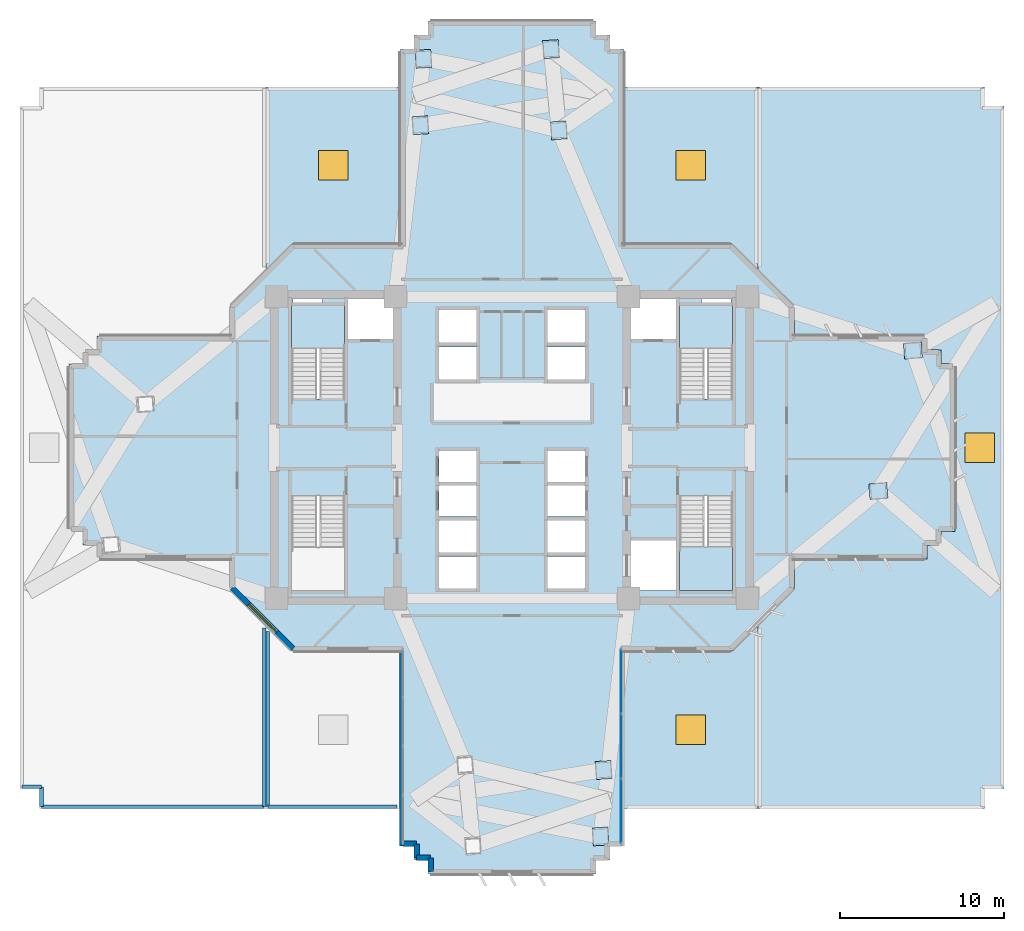
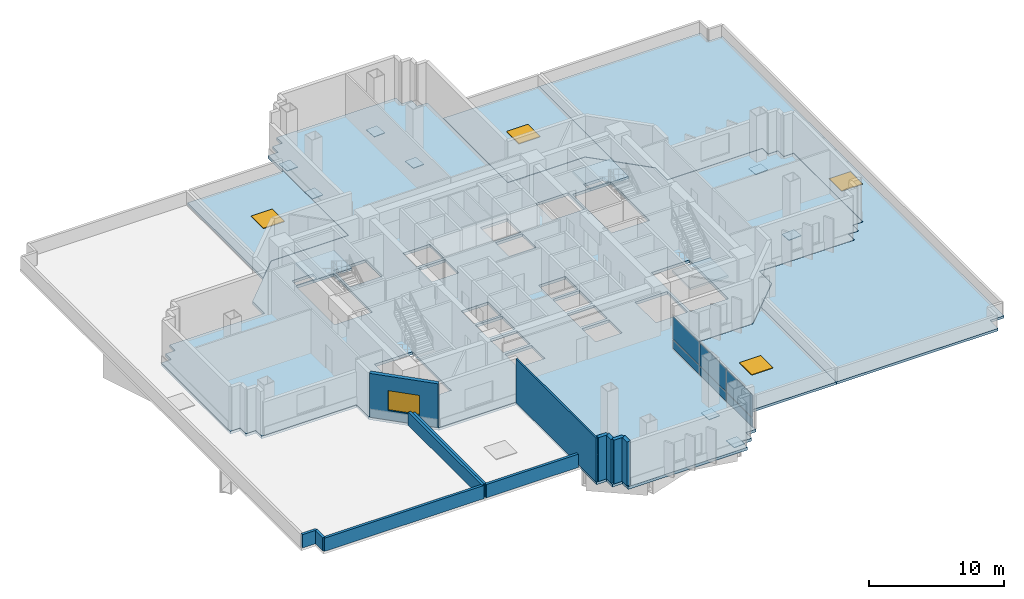
# One storey, part 6 of 15: 14 plates, 12 walls, 8 slabs, 5 windows, 5 openings, 4 elements without a shape of their own.
"""IFC4 building model written with IfcOpenShell, lengths in metres."""

from ifc_helpers import new_model, si_unit, direction, frame, frame_2d, origin, origin_2d, place, context, subcontext, project, spatial, polyline, rectangle, outline, extrude, source, transform, mapped, material, layer, layer_set, type_object, element, fill, aggregate, save


model = new_model("IFC4")

# Units and contexts
model_context = context("Model", 3, precision=1e-05, world=origin(), true_north=direction((0.0, 1.0)))
body_context = subcontext(model_context, "Body", "Model", "MODEL_VIEW")
ifc_project = project(units=[si_unit("LENGTHUNIT", "METRE"), si_unit("AREAUNIT", "SQUARE_METRE"), si_unit("VOLUMEUNIT", "CUBIC_METRE"), si_unit("PLANEANGLEUNIT", "RADIAN"), si_unit("MASSUNIT", "GRAM", prefix="KILO")], contexts=[model_context])

# Site, building, storey
site_placement = place(None, origin())
site = spatial("IfcSite", under=ifc_project, at=site_placement, CompositionType="ELEMENT")
building_placement = place(site_placement, origin())
building = spatial("IfcBuilding", under=site, at=building_placement, Name="Zahravan Cultural Tower", CompositionType="ELEMENT")
storey_placement = place(building_placement, frame((0.0, 0.0, 29.10009765625)))
storey = spatial("IfcBuildingStorey", under=building, at=storey_placement, Name="L05", CompositionType="ELEMENT", Elevation=29.10009765625)

# Slab, opening, window
ifc_material_1 = material(Name="Precast concrete C40/50", Category="concrete")
ifc_layer_1 = layer(ifc_material_1, 0.219970703125)
ifc_layer_set_1 = layer_set([ifc_layer_1], Name="Precast concrete C40/50")
slab_type_1 = type_object("IfcSlabType", Name="SL-ROOF-220", PredefinedType="ROOF", material=ifc_layer_set_1)
slab_1_placement = place(storey_placement, frame((0.0, 0.0, -0.22021484375)))
slab_1 = element("IfcSlab", 1, at=slab_1_placement, inside=storey, type_object=slab_type_1, Name="L05 Setback Roof Slab 2", PredefinedType="ROOF", context=body_context, shape_type="SweptSolid", body=[
    extrude(outline(polyline([(64.800048828125, 5.0), (64.800048828125, 6.199951171875), (66.0, 6.199951171875), (66.0, 47.800048828125), (64.800048828125, 47.800048828125), (64.800048828125, 49.0), (51.0, 49.0), (51.0, 37.828369140625), (53.217529296875, 35.609375), (53.219970703125, 33.820068359375), (61.303955078125, 33.819580078125), (61.320068359375, 33.800048828125), (61.320068359375, 32.969970703125), (62.14990234375, 32.969970703125), (62.16748046875, 32.95947265625), (62.169921875, 32.1201171875), (63.0, 32.1201171875), (63.015380859375, 32.11279296875), (63.02001953125, 21.89990234375), (63.01416015625, 21.885986328125), (63.0, 21.8798828125), (62.169921875, 21.8798828125), (62.169921875, 21.050048828125), (62.159423828125, 21.032470703125), (61.320068359375, 21.030029296875), (61.320068359375, 20.199951171875), (61.303955078125, 20.180419921875), (53.219970703125, 20.179931640625), (53.217529296875, 18.390625), (51.0, 16.171630859375), (51.0, 5.0), (64.800048828125, 5.0)])), origin(), (0.0, 0.0, 1.0), 0.22021484375),
])
opening_1_placement = place(slab_1_placement, frame((64.509033203125, 27.006103515625, 0.0)))
opening_1 = element("IfcOpeningElement", 2, at=opening_1_placement, cuts=slab_1, Name="Opening SK-01", PredefinedType="OPENING", context=body_context, shape_type="SweptSolid", body=[
    extrude(rectangle(XDim=1.800048828125, YDim=1.800048828125, at=origin_2d()), frame((0.0, 0.0, -0.010009765625), z_axis=(0.0, 0.0, 1.0), x_axis=(1.0, 0.0, 0.0)), (0.0, 0.0, 1.0), 0.310302734375),
])
ifc_material_2 = material(Name="Low-E solar-control double glazing", Category="glass")
window_type_1 = type_object("IfcWindowType", Name="SK-MUSEUM-1800", PartitioningType="SINGLE_PANEL", PredefinedType="SKYLIGHT", material=ifc_material_2)
window_1_placement = place(opening_1_placement, frame((0.0, 0.0, 0.22021484375)))
window_1 = element("IfcWindow", 3, at=window_1_placement, inside=storey, type_object=window_type_1, Name="L05 Museum Gallery Skylight", OverallHeight=1.800048828125, OverallWidth=1.800048828125, PartitioningType="SINGLE_PANEL", PredefinedType="SKYLIGHT", context=body_context, shape_type="SweptSolid", body=[
    extrude(rectangle(XDim=1.800048828125, YDim=1.800048828125, at=origin_2d()), origin(), (0.0, 0.0, 1.0), 0.050048828125),
])
fill(opening_1, window_1)

slab_2_placement = place(storey_placement, frame((0.0, 0.0, -0.22021484375)))
slab_2 = element("IfcSlab", 4, at=slab_2_placement, inside=storey, type_object=slab_type_1, Name="L05 Setback Roof Slab 3", PredefinedType="ROOF", context=body_context, shape_type="SweptSolid", body=[
    extrude(outline(polyline([(51.0, 5.0), (51.0, 16.171630859375), (49.40380859375, 14.580322265625), (42.820068359375, 14.580078125), (42.820068359375, 5.0), (51.0, 5.0)])), origin(), (0.0, 0.0, 1.0), 0.22021484375),
])
opening_2_placement = place(slab_2_placement, frame((46.909912109375, 9.7900390625, 0.0)))
opening_2 = element("IfcOpeningElement", 5, at=opening_2_placement, cuts=slab_2, Name="Opening SK-01", PredefinedType="OPENING", context=body_context, shape_type="SweptSolid", body=[
    extrude(rectangle(XDim=1.800048828125, YDim=1.800048828125, at=origin_2d()), frame((0.0, 0.0, -0.010009765625), z_axis=(0.0, 0.0, 1.0), x_axis=(1.0, 0.0, 0.0)), (0.0, 0.0, 1.0), 0.310302734375),
])
window_2_placement = place(opening_2_placement, frame((0.0, 0.0, 0.22021484375)))
window_2 = element("IfcWindow", 6, at=window_2_placement, inside=storey, type_object=window_type_1, Name="L05 Museum Gallery Skylight", OverallHeight=1.800048828125, OverallWidth=1.800048828125, PartitioningType="SINGLE_PANEL", PredefinedType="SKYLIGHT", context=body_context, shape_type="SweptSolid", body=[
    extrude(rectangle(XDim=1.800048828125, YDim=1.800048828125, at=origin_2d()), origin(), (0.0, 0.0, 1.0), 0.050048828125),
])
fill(opening_2, window_2)

slab_3_placement = place(storey_placement, frame((0.0, 0.0, -0.22021484375)))
slab_3 = element("IfcSlab", 7, at=slab_3_placement, inside=storey, type_object=slab_type_1, Name="L05 Setback Roof Slab 4", PredefinedType="ROOF", context=body_context, shape_type="SweptSolid", body=[
    extrude(outline(polyline([(51.0, 37.828369140625), (51.0, 49.0), (42.820068359375, 49.0), (42.820068359375, 39.419921875), (49.39990234375, 39.419921875), (49.4140625, 39.4140625), (51.0, 37.828369140625)])), origin(), (0.0, 0.0, 1.0), 0.22021484375),
])
opening_3_placement = place(slab_3_placement, frame((46.909912109375, 44.2099609375, 0.0)))
opening_3 = element("IfcOpeningElement", 8, at=opening_3_placement, cuts=slab_3, Name="Opening SK-01", PredefinedType="OPENING", context=body_context, shape_type="SweptSolid", body=[
    extrude(rectangle(XDim=1.800048828125, YDim=1.800048828125, at=origin_2d()), frame((0.0, 0.0, -0.010009765625), z_axis=(0.0, 0.0, 1.0), x_axis=(1.0, 0.0, 0.0)), (0.0, 0.0, 1.0), 0.310302734375),
])
window_3_placement = place(opening_3_placement, frame((0.0, 0.0, 0.22021484375)))
window_3 = element("IfcWindow", 9, at=window_3_placement, inside=storey, type_object=window_type_1, Name="L05 Museum Gallery Skylight", OverallHeight=1.800048828125, OverallWidth=1.800048828125, PartitioningType="SINGLE_PANEL", PredefinedType="SKYLIGHT", context=body_context, shape_type="SweptSolid", body=[
    extrude(rectangle(XDim=1.800048828125, YDim=1.800048828125, at=origin_2d()), origin(), (0.0, 0.0, 1.0), 0.050048828125),
])
fill(opening_3, window_3)

slab_4_placement = place(storey_placement, frame((0.0, 0.0, -0.22021484375)))
slab_4 = element("IfcSlab", 10, at=slab_4_placement, inside=storey, type_object=slab_type_1, Name="L05 Setback Roof Slab 6", PredefinedType="ROOF", context=body_context, shape_type="SweptSolid", body=[
    extrude(outline(polyline([(21.0, 49.0), (21.0, 37.828369140625), (22.59619140625, 39.419677734375), (29.179931640625, 39.419921875), (29.179931640625, 49.0), (21.0, 49.0)])), origin(), (0.0, 0.0, 1.0), 0.22021484375),
])
opening_4_placement = place(slab_4_placement, frame((25.090087890625, 44.2099609375, 0.0)))
opening_4 = element("IfcOpeningElement", 11, at=opening_4_placement, cuts=slab_4, Name="Opening SK-01", PredefinedType="OPENING", context=body_context, shape_type="SweptSolid", body=[
    extrude(rectangle(XDim=1.800048828125, YDim=1.800048828125, at=origin_2d()), frame((0.0, 0.0, -0.010009765625), z_axis=(0.0, 0.0, 1.0), x_axis=(1.0, 0.0, 0.0)), (0.0, 0.0, 1.0), 0.310302734375),
])
window_4_placement = place(opening_4_placement, frame((0.0, 0.0, 0.22021484375)))
window_4 = element("IfcWindow", 12, at=window_4_placement, inside=storey, type_object=window_type_1, Name="L05 Museum Gallery Skylight", OverallHeight=1.800048828125, OverallWidth=1.800048828125, PartitioningType="SINGLE_PANEL", PredefinedType="SKYLIGHT", context=body_context, shape_type="SweptSolid", body=[
    extrude(rectangle(XDim=1.800048828125, YDim=1.800048828125, at=origin_2d()), origin(), (0.0, 0.0, 1.0), 0.050048828125),
])
fill(opening_4, window_4)

# Stair, slab
ifc_material_3 = material(Name="Concrete C45/55", Category="concrete")
stair_type = type_object("IfcStairType", Name="STR-DL-1550-420", PredefinedType="HALF_TURN_STAIR", material=ifc_material_3)
stair_1_placement = place(storey_placement, origin())
stair_1 = element("IfcStair", 13, at=stair_1_placement, inside=storey, type_object=stair_type, Name="L05 West Core North Exit Stair ST-W1", PredefinedType="HALF_TURN_STAIR")
ifc_layer_2 = layer(ifc_material_3, 0.199951171875)
ifc_layer_set_2 = layer_set([ifc_layer_2], Name="Concrete C45/55")
slab_type_2 = type_object("IfcSlabType", Name="SL-STAIR-LND200", PredefinedType="LANDING", material=ifc_layer_set_2)
slab_5_placement = place(storey_placement, frame((0.0, 0.0, 1.89990234375)))
slab_5 = element("IfcSlab", 14, at=slab_5_placement, type_object=slab_type_2, Name="ST-W1 landing 1", PredefinedType="LANDING", context=body_context, shape_type="SweptSolid", body=[
    extrude(outline(polyline([(25.800048828125, 33.030029296875), (25.800048828125, 35.699951171875), (22.550048828125, 35.699951171875), (22.550048828125, 33.030029296875), (25.800048828125, 33.030029296875)])), origin(), (0.0, 0.0, 1.0), 0.199951171875),
])
aggregate(stair_1, [slab_5])

stair_2_placement = place(storey_placement, origin())
stair_2 = element("IfcStair", 15, at=stair_2_placement, inside=storey, type_object=stair_type, Name="L05 East Core North Exit Stair ST-E1", PredefinedType="HALF_TURN_STAIR")
slab_6_placement = place(storey_placement, frame((0.0, 0.0, 1.89990234375)))
slab_6 = element("IfcSlab", 16, at=slab_6_placement, type_object=slab_type_2, Name="ST-E1 landing 1", PredefinedType="LANDING", context=body_context, shape_type="SweptSolid", body=[
    extrude(outline(polyline([(49.449951171875, 33.030029296875), (49.449951171875, 35.699951171875), (46.199951171875, 35.699951171875), (46.199951171875, 33.030029296875), (49.449951171875, 33.030029296875)])), origin(), (0.0, 0.0, 1.0), 0.199951171875),
])
aggregate(stair_2, [slab_6])

stair_3_placement = place(storey_placement, origin())
stair_3 = element("IfcStair", 17, at=stair_3_placement, inside=storey, type_object=stair_type, Name="L05 East Core South Exit Stair ST-E2", PredefinedType="HALF_TURN_STAIR")
slab_7_placement = place(storey_placement, frame((0.0, 0.0, 1.89990234375)))
slab_7 = element("IfcSlab", 18, at=slab_7_placement, type_object=slab_type_2, Name="ST-E2 landing 1", PredefinedType="LANDING", context=body_context, shape_type="SweptSolid", body=[
    extrude(outline(polyline([(46.199951171875, 20.969970703125), (46.199951171875, 18.300048828125), (49.449951171875, 18.300048828125), (49.449951171875, 20.969970703125), (46.199951171875, 20.969970703125)])), origin(), (0.0, 0.0, 1.0), 0.199951171875),
])
aggregate(stair_3, [slab_7])

# Slab
ifc_material_4 = material(Name="Concrete C40/50", Category="concrete")
ifc_layer_3 = layer(ifc_material_4, 0.25)
ifc_layer_set_3 = layer_set([ifc_layer_3], Name="Concrete C40/50")
slab_type_3 = type_object("IfcSlabType", Name="SL-TYP-250", PredefinedType="FLOOR", material=ifc_layer_set_3)
slab_8_placement = place(storey_placement, frame((0.0, 0.0, -0.25)))
element("IfcSlab", 19, at=slab_8_placement, inside=storey, type_object=slab_type_3, Name="L05 Structural Floor Slab", PredefinedType="FLOOR", context=body_context, shape_type="SweptSolid", body=[
    extrude(outline(polyline([(53.199951171875, 33.800048828125), (53.199951171875, 35.60009765625), (49.39990234375, 39.39990234375), (42.800048828125, 39.39990234375), (42.800048828125, 51.300048828125), (41.949951171875, 51.300048828125), (41.949951171875, 52.14990234375), (41.10009765625, 52.14990234375), (41.10009765625, 53.0), (30.89990234375, 53.0), (30.89990234375, 52.14990234375), (30.050048828125, 52.14990234375), (30.050048828125, 51.300048828125), (29.199951171875, 51.300048828125), (29.199951171875, 39.39990234375), (22.60009765625, 39.39990234375), (18.800048828125, 35.60009765625), (18.800048828125, 33.800048828125), (10.699951171875, 33.800048828125), (10.699951171875, 32.949951171875), (9.85009765625, 32.949951171875), (9.85009765625, 32.10009765625), (9.0, 32.10009765625), (9.0, 21.89990234375), (9.85009765625, 21.89990234375), (9.85009765625, 21.050048828125), (10.699951171875, 21.050048828125), (10.699951171875, 20.199951171875), (18.800048828125, 20.199951171875), (18.800048828125, 18.39990234375), (22.60009765625, 14.60009765625), (29.199951171875, 14.60009765625), (29.199951171875, 2.699951171875), (30.050048828125, 2.699951171875), (30.050048828125, 1.85009765625), (30.89990234375, 1.85009765625), (30.89990234375, 1.0), (41.10009765625, 1.0), (41.10009765625, 1.85009765625), (41.949951171875, 1.85009765625), (41.949951171875, 2.699951171875), (42.800048828125, 2.699951171875), (42.800048828125, 14.60009765625), (49.39990234375, 14.60009765625), (53.199951171875, 18.39990234375), (53.199951171875, 20.199951171875), (61.300048828125, 20.199951171875), (61.300048828125, 21.050048828125), (62.14990234375, 21.050048828125), (62.14990234375, 21.89990234375), (63.0, 21.89990234375), (63.0, 32.10009765625), (62.14990234375, 32.10009765625), (62.14990234375, 32.949951171875), (61.300048828125, 32.949951171875), (61.300048828125, 33.800048828125), (53.199951171875, 33.800048828125)]), holes=[polyline([(22.550048828125, 29.949951171875), (22.550048828125, 35.699951171875), (25.800048828125, 35.699951171875), (25.800048828125, 29.949951171875), (22.550048828125, 29.949951171875)]), polyline([(22.550048828125, 18.300048828125), (22.550048828125, 24.050048828125), (25.800048828125, 24.050048828125), (25.800048828125, 18.300048828125), (22.550048828125, 18.300048828125)]), polyline([(46.199951171875, 29.949951171875), (46.199951171875, 35.699951171875), (49.449951171875, 35.699951171875), (49.449951171875, 29.949951171875), (46.199951171875, 29.949951171875)]), polyline([(46.199951171875, 18.300048828125), (46.199951171875, 24.050048828125), (49.449951171875, 24.050048828125), (49.449951171875, 18.300048828125), (46.199951171875, 18.300048828125)]), polyline([(26.0, 33.60009765625), (26.0, 36.050048828125), (28.75, 36.050048828125), (28.75, 33.60009765625), (26.0, 33.60009765625)]), polyline([(43.25, 33.60009765625), (43.25, 36.050048828125), (46.0, 36.050048828125), (46.0, 33.60009765625), (43.25, 33.60009765625)]), polyline([(43.25, 18.300048828125), (43.25, 21.35009765625), (46.0, 21.35009765625), (46.0, 18.300048828125), (43.25, 18.300048828125)]), polyline([(31.550048828125, 33.39990234375), (31.550048828125, 35.39990234375), (33.85009765625, 35.39990234375), (33.85009765625, 33.39990234375), (31.550048828125, 33.39990234375)]), polyline([(31.550048828125, 31.14990234375), (31.550048828125, 33.14990234375), (33.85009765625, 33.14990234375), (33.85009765625, 31.14990234375), (31.550048828125, 31.14990234375)]), polyline([(38.14990234375, 33.39990234375), (38.14990234375, 35.39990234375), (40.449951171875, 35.39990234375), (40.449951171875, 33.39990234375), (38.14990234375, 33.39990234375)]), polyline([(38.14990234375, 31.14990234375), (38.14990234375, 33.14990234375), (40.449951171875, 33.14990234375), (40.449951171875, 31.14990234375), (38.14990234375, 31.14990234375)]), polyline([(31.550048828125, 20.60009765625), (31.550048828125, 22.550048828125), (33.85009765625, 22.550048828125), (33.85009765625, 20.60009765625), (31.550048828125, 20.60009765625)]), polyline([(31.550048828125, 18.39990234375), (31.550048828125, 20.35009765625), (33.85009765625, 20.35009765625), (33.85009765625, 18.39990234375), (31.550048828125, 18.39990234375)]), polyline([(38.14990234375, 20.60009765625), (38.14990234375, 22.550048828125), (40.449951171875, 22.550048828125), (40.449951171875, 20.60009765625), (38.14990234375, 20.60009765625)]), polyline([(38.14990234375, 18.39990234375), (38.14990234375, 20.35009765625), (40.449951171875, 20.35009765625), (40.449951171875, 18.39990234375), (38.14990234375, 18.39990234375)]), polyline([(31.550048828125, 24.89990234375), (31.550048828125, 26.800048828125), (33.85009765625, 26.800048828125), (33.85009765625, 24.89990234375), (31.550048828125, 24.89990234375)]), polyline([(31.550048828125, 22.800048828125), (31.550048828125, 24.699951171875), (33.85009765625, 24.699951171875), (33.85009765625, 22.800048828125), (31.550048828125, 22.800048828125)]), polyline([(38.14990234375, 24.89990234375), (38.14990234375, 26.800048828125), (40.449951171875, 26.800048828125), (40.449951171875, 24.89990234375), (38.14990234375, 24.89990234375)]), polyline([(38.14990234375, 22.800048828125), (38.14990234375, 24.699951171875), (40.449951171875, 24.699951171875), (40.449951171875, 22.800048828125), (38.14990234375, 22.800048828125)]), polyline([(22.64990234375, 35.800048828125), (22.64990234375, 36.419921875), (24.449951171875, 36.419921875), (24.449951171875, 35.800048828125), (22.64990234375, 35.800048828125)]), polyline([(47.550048828125, 35.800048828125), (47.550048828125, 36.419921875), (49.35009765625, 36.419921875), (49.35009765625, 35.800048828125), (47.550048828125, 35.800048828125)])]), origin(), (0.0, 0.0, 1.0), 0.25),
])

# Plates
ifc_material_5 = material(Name="Steel ASTM A572 Grade 50", Category="steel")
ifc_layer_4 = layer(ifc_material_5, 0.06005859375)
ifc_layer_set_4 = layer_set([ifc_layer_4], Name="Steel ASTM A572 Grade 50")
plate_type_1 = type_object("IfcPlateType", Name="PL-NODE-60", PredefinedType="SHEET", material=ifc_layer_set_4)
shared_shape_1 = source(origin(), body_context, "Body", "SweptSolid", [
    extrude(rectangle(XDim=1.10009765625, YDim=0.949951171875, at=origin_2d()), origin(), (0.0, 0.0, 1.0), 0.06005859375),
])
for number, where, z_axis, x_axis, name in (
    (20, (41.3994140625, 3.292236328125, -1.080078125), (0.0, 0.0, 1.0), (-0.062790519529, 0.998026728428, 0.0), "L05 Transfer Node Plate TN1"),
    (21, (41.5849609375, 7.341796875, -1.080078125), (0.0, 0.0, 1.0), (-0.069756473744, 0.99756405026, 0.0), "L05 Transfer Node Plate TN1"),
    (22, (58.339111328125, 24.351806640625, -1.080078125), (0.0, 0.0, 1.0), (0.99756405026, 0.069756473744, 0.0), "L05 Transfer Node Plate TN1"),
    (23, (60.446533203125, 32.919677734375, -1.080078125), (0.0, 0.0, 1.0), (0.99756405026, 0.069756473744, 0.0), "L05 Transfer Node Plate TN1"),
    (24, (38.857421875, 46.346435546875, -1.080078125), (0.0, 0.0, 1.0), (-0.069756473744, 0.99756405026, 0.0), "L05 Transfer Node Plate TN1"),
    (25, (38.379150390625, 51.29736328125, -1.080078125), (0.0, 0.0, 1.0), (-0.062790519529, 0.998026728428, 0.0), "L05 Transfer Node Plate TN1"),
    (26, (30.6005859375, 50.707763671875, -1.080078125), (0.0, 0.0, 1.0), (-0.062790519529, 0.998026728428, 0.0), "L05 Transfer Node Plate TN1"),
    (27, (30.4150390625, 46.658203125, -1.080078125), (0.0, 0.0, 1.0), (-0.069756473744, 0.99756405026, 0.0), "L05 Transfer Node Plate TN1"),
):
    element("IfcPlate", number, at=place(storey_placement, frame(where, z_axis=z_axis, x_axis=x_axis)), inside=storey, type_object=plate_type_1, Name=name, PredefinedType="SHEET", context=body_context, shape_type="MappedRepresentation", body=[
        mapped(shared_shape_1, transform((0.0, 0.0, 0.0), x_axis=(1.0, 0.0, 0.0), y_axis=(0.0, 1.0, 0.0), z_axis=(0.0, 0.0, 1.0), scale=1.0)),
    ])

# Curtain wall, plates
ifc_material_6 = material(Name="Anodised bronze-aluminium mullion", Category="aluminium")
ifc_layer_5 = layer(ifc_material_6, 0.199951171875)
ifc_layer_set_5 = layer_set([ifc_layer_5], Name="Anodised bronze-aluminium mullion")
curtain_wall_type = type_object("IfcCurtainWallType", Name="CW-SYS-2", PredefinedType="USERDEFINED", material=ifc_layer_set_5)
curtain_wall_placement = place(storey_placement, origin())
curtain_wall = element("IfcCurtainWall", 28, at=curtain_wall_placement, inside=storey, type_object=curtain_wall_type, Name="L05 Recessed Curtain Wall CW-2.1", ObjectType="RECESSED GLAZING", PredefinedType="USERDEFINED")
ifc_layer_6 = layer(ifc_material_2, 0.030029296875)
ifc_layer_set_6 = layer_set([ifc_layer_6], Name="Low-E solar-control double glazing")
plate_type_2 = type_object("IfcPlateType", Name="CWP-CW-2", PredefinedType="CURTAIN_PANEL", material=ifc_layer_set_6)
shared_shape_2 = source(origin(), body_context, "Body", "SweptSolid", [
    extrude(rectangle(XDim=3.854248046875, YDim=0.030029296875, at=origin_2d()), origin(), (0.0, 0.0, 1.0), 0.78759765625),
])
plate_1_placement = place(storey_placement, frame((42.659912109375, 12.738037109375, 0.074951171875), z_axis=(0.0, 0.0, 1.0), x_axis=(0.0, -1.0, 0.0)))
plate_1 = element("IfcPlate", 29, at=plate_1_placement, type_object=plate_type_2, Name="CW-2 panel 1.1", PredefinedType="CURTAIN_PANEL", context=body_context, shape_type="MappedRepresentation", body=[
    mapped(shared_shape_2, transform((0.0, 0.0, 0.0), x_axis=(1.0, 0.0, 0.0), y_axis=(0.0, 1.0, 0.0), z_axis=(0.0, 0.0, 1.0), scale=1.0)),
])
plate_2_placement = place(storey_placement, frame((42.659912109375, 4.842041015625, 0.074951171875), z_axis=(0.0, 0.0, 1.0), x_axis=(0.0, -1.0, 0.0)))
plate_2 = element("IfcPlate", 30, at=plate_2_placement, type_object=plate_type_2, Name="CW-2 panel 3.1", PredefinedType="CURTAIN_PANEL", context=body_context, shape_type="MappedRepresentation", body=[
    mapped(shared_shape_2, transform((0.0, 0.0, 0.0), x_axis=(1.0, 0.0, 0.0), y_axis=(0.0, 1.0, 0.0), z_axis=(0.0, 0.0, 1.0), scale=1.0)),
])
shared_shape_3 = source(origin(), body_context, "Body", "SweptSolid", [
    extrude(rectangle(XDim=3.854248046875, YDim=0.030029296875, at=origin_2d()), origin(), (0.0, 0.0, 1.0), 2.0576171875),
])
plate_3_placement = place(storey_placement, frame((42.659912109375, 12.738037109375, 0.937255859375), z_axis=(0.0, 0.0, 1.0), x_axis=(0.0, -1.0, 0.0)))
plate_3 = element("IfcPlate", 31, at=plate_3_placement, type_object=plate_type_2, Name="CW-2 panel 1.2", PredefinedType="CURTAIN_PANEL", context=body_context, shape_type="MappedRepresentation", body=[
    mapped(shared_shape_3, transform((0.0, 0.0, 0.0), x_axis=(1.0, 0.0, 0.0), y_axis=(0.0, 1.0, 0.0), z_axis=(0.0, 0.0, 1.0), scale=1.0)),
])
plate_4_placement = place(storey_placement, frame((42.659912109375, 4.842041015625, 0.937255859375), z_axis=(0.0, 0.0, 1.0), x_axis=(0.0, -1.0, 0.0)))
plate_4 = element("IfcPlate", 32, at=plate_4_placement, type_object=plate_type_2, Name="CW-2 panel 3.2", PredefinedType="CURTAIN_PANEL", context=body_context, shape_type="MappedRepresentation", body=[
    mapped(shared_shape_3, transform((0.0, 0.0, 0.0), x_axis=(1.0, 0.0, 0.0), y_axis=(0.0, 1.0, 0.0), z_axis=(0.0, 0.0, 1.0), scale=1.0)),
])
shared_shape_4 = source(origin(), body_context, "Body", "SweptSolid", [
    extrude(rectangle(XDim=3.8916015625, YDim=0.030029296875, at=origin_2d()), origin(), (0.0, 0.0, 1.0), 0.78759765625),
])
plate_5_placement = place(storey_placement, frame((42.659912109375, 8.7900390625, 0.074951171875), z_axis=(0.0, 0.0, 1.0), x_axis=(0.0, -1.0, 0.0)))
plate_5 = element("IfcPlate", 33, at=plate_5_placement, type_object=plate_type_2, Name="CW-2 panel 2.1", PredefinedType="CURTAIN_PANEL", context=body_context, shape_type="MappedRepresentation", body=[
    mapped(shared_shape_4, transform((0.0, 0.0, 0.0), x_axis=(1.0, 0.0, 0.0), y_axis=(0.0, 1.0, 0.0), z_axis=(0.0, 0.0, 1.0), scale=1.0)),
])
shared_shape_5 = source(origin(), body_context, "Body", "SweptSolid", [
    extrude(rectangle(XDim=3.8916015625, YDim=0.030029296875, at=origin_2d()), origin(), (0.0, 0.0, 1.0), 2.0576171875),
])
plate_6_placement = place(storey_placement, frame((42.659912109375, 8.7900390625, 0.937255859375), z_axis=(0.0, 0.0, 1.0), x_axis=(0.0, -1.0, 0.0)))
plate_6 = element("IfcPlate", 34, at=plate_6_placement, type_object=plate_type_2, Name="CW-2 panel 2.2", PredefinedType="CURTAIN_PANEL", context=body_context, shape_type="MappedRepresentation", body=[
    mapped(shared_shape_5, transform((0.0, 0.0, 0.0), x_axis=(1.0, 0.0, 0.0), y_axis=(0.0, 1.0, 0.0), z_axis=(0.0, 0.0, 1.0), scale=1.0)),
])
aggregate(curtain_wall, [plate_1, plate_3, plate_5, plate_6, plate_2, plate_4])

# Wall, opening, window
ifc_layer_7 = layer(ifc_material_1, 0.320068359375)
ifc_layer_set_7 = layer_set([ifc_layer_7], Name="Precast concrete C40/50")
wall_type_1 = type_object("IfcWallType", Name="EW-TC-320", PredefinedType="SOLIDWALL", material=ifc_layer_set_7)
wall_1_placement = place(storey_placement, frame((22.657958984375, 14.739990234375, 0.0), z_axis=(0.0, 0.0, 1.0), x_axis=(-0.707106781187, 0.707106781187, 0.0)))
wall_1 = element("IfcWall", 35, at=wall_1_placement, inside=storey, type_object=wall_type_1, Name="L05 Exterior Masonry Frame Wall 25", PredefinedType="SOLIDWALL", context=body_context, shape_type="SweptSolid", body=[
    extrude(rectangle(XDim=5.258056640625, YDim=0.320068359375, at=frame_2d((2.62890625, 0.0))), origin(), (0.0, 0.0, 1.0), 3.949951171875),
])
opening_5_placement = place(wall_1_placement, frame((1.428955078125, 0.0, 0.85009765625)))
opening_5 = element("IfcOpeningElement", 36, at=opening_5_placement, cuts=wall_1, Name="Opening WN-01", PredefinedType="OPENING", context=body_context, shape_type="SweptSolid", body=[
    extrude(rectangle(XDim=2.39990234375, YDim=1.800048828125, at=frame_2d((1.199951171875, 0.89990234375))), frame((0.0, 0.169921875, 0.0), z_axis=(0.0, -1.0, 0.0), x_axis=(1.0, 0.0, 0.0)), (0.0, 0.0, 1.0), 0.340087890625),
])
window_type_2 = type_object("IfcWindowType", Name="WN-REC-2400X1800", PartitioningType="DOUBLE_PANEL_VERTICAL", PredefinedType="WINDOW", material=ifc_material_2)
shared_shape_6 = source(origin(), body_context, "Body", "SweptSolid", [
    extrude(rectangle(XDim=2.39990234375, YDim=1.800048828125, at=frame_2d((1.199951171875, 0.89990234375))), frame((0.0, 0.030029296875, 0.0), z_axis=(0.0, -1.0, 0.0), x_axis=(1.0, 0.0, 0.0)), (0.0, 0.0, 1.0), 0.06005859375),
])
window_5_placement = place(opening_5_placement, origin())
window_5 = element("IfcWindow", 37, at=window_5_placement, inside=storey, type_object=window_type_2, Name="L05 Recessed Solar Window 07", OverallHeight=1.800048828125, OverallWidth=2.39990234375, PartitioningType="DOUBLE_PANEL_VERTICAL", PredefinedType="WINDOW", context=body_context, shape_type="MappedRepresentation", body=[
    mapped(shared_shape_6, transform((0.0, 0.0, 0.0), x_axis=(1.0, 0.0, 0.0), y_axis=(0.0, 1.0, 0.0), z_axis=(0.0, 0.0, 1.0), scale=1.0)),
])
fill(opening_5, window_5)

# Walls
ifc_layer_8 = layer(ifc_material_1, 0.219970703125)
ifc_layer_set_8 = layer_set([ifc_layer_8], Name="Precast concrete C40/50")
wall_type_2 = type_object("IfcWallType", Name="EW-PARAPET-220", PredefinedType="PARAPET", material=ifc_layer_set_8)
shared_shape_7 = source(origin(), body_context, "Body", "SweptSolid", [
    extrude(rectangle(XDim=1.199951171875, YDim=0.219970703125, at=frame_2d((0.60009765625, 0.0))), origin(), (0.0, 0.0, 1.0), 1.199951171875),
])
for number, where, z_axis, x_axis, name in (
    (38, (7.31005859375, 6.31005859375, 0.0), (0.0, 0.0, 1.0), (-1.0, 0.0, 0.0), "L05 Setback Roof Parapet 1"),
    (39, (7.31005859375, 5.110107421875, 0.0), (0.0, 0.0, 1.0), (0.0, 1.0, 0.0), "L05 Setback Roof Parapet 9"),
):
    element("IfcWall", number, at=place(storey_placement, frame(where, z_axis=z_axis, x_axis=x_axis)), inside=storey, type_object=wall_type_2, Name=name, PredefinedType="PARAPET", context=body_context, shape_type="MappedRepresentation", body=[
        mapped(shared_shape_7, transform((0.0, 0.0, 0.0), x_axis=(1.0, 0.0, 0.0), y_axis=(0.0, 1.0, 0.0), z_axis=(0.0, 0.0, 1.0), scale=1.0)),
    ])
shared_shape_8 = source(origin(), body_context, "Body", "SweptSolid", [
    extrude(rectangle(XDim=13.579833984375, YDim=0.219970703125, at=frame_2d((6.7900390625, 0.0))), origin(), (0.0, 0.0, 1.0), 1.199951171875),
])
wall_2_placement = place(storey_placement, frame((20.889892578125, 5.110107421875, 0.0), z_axis=(0.0, 0.0, 1.0), x_axis=(-1.0, 0.0, 0.0)))
element("IfcWall", 40, at=wall_2_placement, inside=storey, type_object=wall_type_2, Name="L05 Setback Roof Parapet 8", PredefinedType="PARAPET", context=body_context, shape_type="MappedRepresentation", body=[
    mapped(shared_shape_8, transform((0.0, 0.0, 0.0), x_axis=(1.0, 0.0, 0.0), y_axis=(0.0, 1.0, 0.0), z_axis=(0.0, 0.0, 1.0), scale=1.0)),
])
shared_shape_9 = source(origin(), body_context, "Body", "SweptSolid", [
    extrude(rectangle(XDim=10.888671875, YDim=0.219970703125, at=frame_2d((5.4443359375, 0.0))), origin(), (0.0, 0.0, 1.0), 1.199951171875),
])
wall_3_placement = place(storey_placement, frame((20.889892578125, 15.998779296875, 0.0), z_axis=(0.0, 0.0, 1.0), x_axis=(0.0, -1.0, 0.0)))
element("IfcWall", 41, at=wall_3_placement, inside=storey, type_object=wall_type_2, Name="L05 Setback Roof Parapet 7", PredefinedType="PARAPET", context=body_context, shape_type="MappedRepresentation", body=[
    mapped(shared_shape_9, transform((0.0, 0.0, 0.0), x_axis=(1.0, 0.0, 0.0), y_axis=(0.0, 1.0, 0.0), z_axis=(0.0, 0.0, 1.0), scale=1.0)),
])
shared_shape_10 = source(origin(), body_context, "Body", "SweptSolid", [
    extrude(rectangle(XDim=7.869873046875, YDim=0.219970703125, at=frame_2d((3.93505859375, 0.0))), origin(), (0.0, 0.0, 1.0), 1.199951171875),
])
wall_4_placement = place(storey_placement, frame((28.97998046875, 5.110107421875, 0.0), z_axis=(0.0, 0.0, 1.0), x_axis=(-1.0, 0.0, 0.0)))
element("IfcWall", 42, at=wall_4_placement, inside=storey, type_object=wall_type_2, Name="L05 Setback Roof Parapet 1", PredefinedType="PARAPET", context=body_context, shape_type="MappedRepresentation", body=[
    mapped(shared_shape_10, transform((0.0, 0.0, 0.0), x_axis=(1.0, 0.0, 0.0), y_axis=(0.0, 1.0, 0.0), z_axis=(0.0, 0.0, 1.0), scale=1.0)),
])
shared_shape_11 = source(origin(), body_context, "Body", "SweptSolid", [
    extrude(rectangle(XDim=10.668701171875, YDim=0.219970703125, at=frame_2d((5.33447265625, 0.0))), origin(), (0.0, 0.0, 1.0), 1.199951171875),
])
wall_5_placement = place(storey_placement, frame((21.110107421875, 5.110107421875, 0.0), z_axis=(0.0, 0.0, 1.0), x_axis=(0.0, 1.0, 0.0)))
element("IfcWall", 43, at=wall_5_placement, inside=storey, type_object=wall_type_2, Name="L05 Setback Roof Parapet 2", PredefinedType="PARAPET", context=body_context, shape_type="MappedRepresentation", body=[
    mapped(shared_shape_11, transform((0.0, 0.0, 0.0), x_axis=(1.0, 0.0, 0.0), y_axis=(0.0, 1.0, 0.0), z_axis=(0.0, 0.0, 1.0), scale=1.0)),
])
shared_shape_12 = source(origin(), body_context, "Body", "SweptSolid", [
    extrude(rectangle(XDim=0.849853515625, YDim=0.320068359375, at=frame_2d((0.4248046875, 0.0))), origin(), (0.0, 0.0, 1.0), 3.949951171875),
])
wall_6_placement = place(storey_placement, frame((30.18994140625, 2.840087890625, 0.0), z_axis=(0.0, 0.0, 1.0), x_axis=(-1.0, 0.0, 0.0)))
element("IfcWall", 44, at=wall_6_placement, inside=storey, type_object=wall_type_1, Name="L05 Exterior Masonry Frame Wall 23", PredefinedType="SOLIDWALL", context=body_context, shape_type="MappedRepresentation", body=[
    mapped(shared_shape_12, transform((0.0, 0.0, 0.0), x_axis=(1.0, 0.0, 0.0), y_axis=(0.0, 1.0, 0.0), z_axis=(0.0, 0.0, 1.0), scale=1.0)),
])
shared_shape_13 = source(origin(), body_context, "Body", "SweptSolid", [
    extrude(rectangle(XDim=0.85009765625, YDim=0.320068359375, at=frame_2d((0.425048828125, 0.0))), origin(), (0.0, 0.0, 1.0), 3.949951171875),
])
for number, where, z_axis, x_axis, name in (
    (45, (31.0400390625, 1.139892578125, 0.0), (0.0, 0.0, 1.0), (0.0, 1.0, 0.0), "L05 Exterior Masonry Frame Wall 20"),
    (46, (31.0400390625, 1.989990234375, 0.0), (0.0, 0.0, 1.0), (-1.0, 0.0, 0.0), "L05 Exterior Masonry Frame Wall 21"),
    (47, (30.18994140625, 1.989990234375, 0.0), (0.0, 0.0, 1.0), (0.0, 1.0, 0.0), "L05 Exterior Masonry Frame Wall 22"),
):
    element("IfcWall", number, at=place(storey_placement, frame(where, z_axis=z_axis, x_axis=x_axis)), inside=storey, type_object=wall_type_1, Name=name, PredefinedType="SOLIDWALL", context=body_context, shape_type="MappedRepresentation", body=[
        mapped(shared_shape_13, transform((0.0, 0.0, 0.0), x_axis=(1.0, 0.0, 0.0), y_axis=(0.0, 1.0, 0.0), z_axis=(0.0, 0.0, 1.0), scale=1.0)),
    ])
ifc_material_7 = material(Name="Gypsum plasterboard partition")
ifc_layer_9 = layer(ifc_material_7, 0.139892578125)
ifc_layer_set_9 = layer_set([ifc_layer_9], Name="Gypsum plasterboard partition")
wall_type_3 = type_object("IfcWallType", Name="W-PART-140", PredefinedType="PARTITIONING", material=ifc_layer_set_9)
shared_shape_14 = source(origin(), body_context, "Body", "SweptSolid", [
    extrude(rectangle(XDim=11.85498046875, YDim=0.139892578125, at=frame_2d((5.927490234375, 0.0))), origin(), (0.0, 0.0, 1.0), 3.949951171875),
])
wall_7_placement = place(storey_placement, frame((29.219970703125, 2.719970703125, 0.0), z_axis=(0.0, 0.0, 1.0), x_axis=(-0.000164751429, 0.999999986428, 0.0)))
element("IfcWall", 48, at=wall_7_placement, inside=storey, type_object=wall_type_3, Name="L05 Interior Wall 099", PredefinedType="PARTITIONING", context=body_context, shape_type="MappedRepresentation", body=[
    mapped(shared_shape_14, transform((0.0, 0.0, 0.0), x_axis=(1.0, 0.0, 0.0), y_axis=(0.0, 1.0, 0.0), z_axis=(0.0, 0.0, 1.0), scale=1.0)),
])

save(model, "model.ifc")
